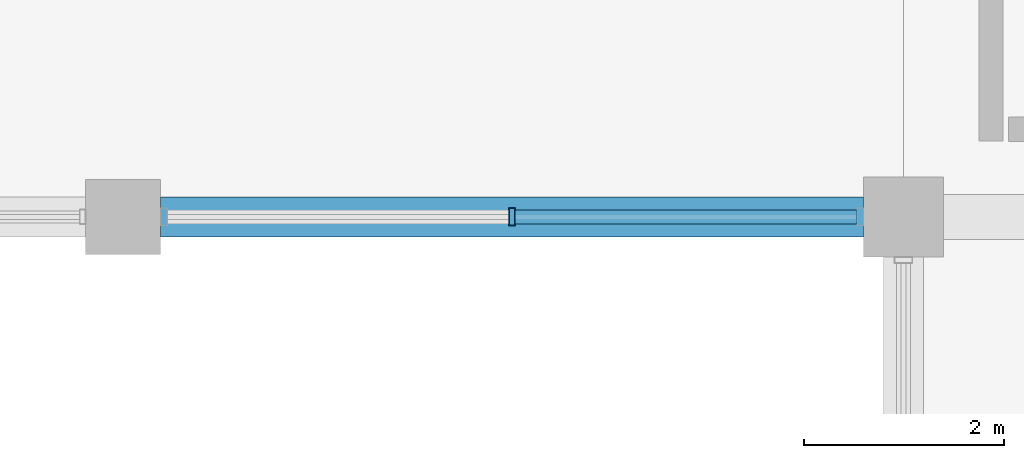
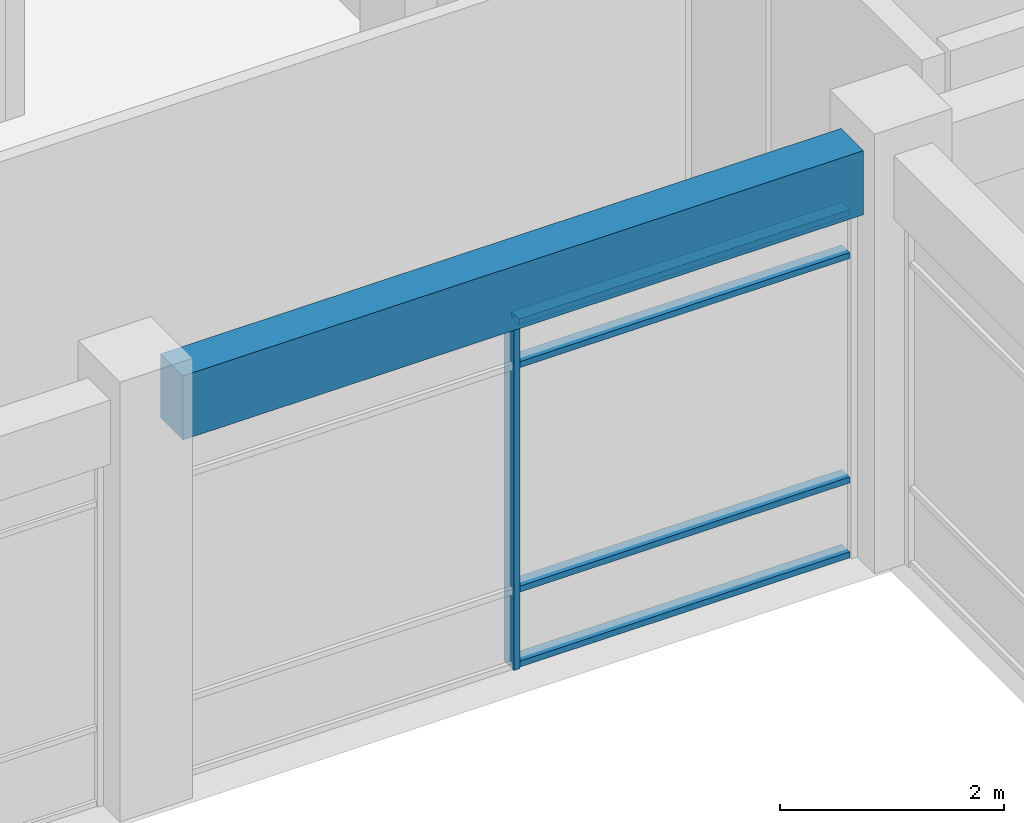
# One storey, part 23 of 62: 5 members, 1 beam, 1 element without a shape of its own.
"""IFC4 building model written with IfcOpenShell, lengths in metres."""

from ifc_helpers import new_model, si_unit, direction, frame, origin, origin_2d, place, context, subcontext, project, spatial, rectangle, hollow_rectangle, extrude, material, material_profile, profile_set, type_object, element, aggregate, save


model = new_model("IFC4")

# Units and contexts
model_context = context("Model", 3, precision=1e-05, world=origin(), true_north=direction((0.0, 1.0)))
body_context = subcontext(model_context, "Body", "Model", "MODEL_VIEW")
ifc_project = project(units=[si_unit("LENGTHUNIT", "METRE"), si_unit("AREAUNIT", "SQUARE_METRE"), si_unit("VOLUMEUNIT", "CUBIC_METRE"), si_unit("PLANEANGLEUNIT", "RADIAN"), si_unit("MASSUNIT", "GRAM", prefix="KILO"), si_unit("THERMODYNAMICTEMPERATUREUNIT", "KELVIN"), si_unit("POWERUNIT", "WATT")], contexts=[model_context])

# Site, building, storey
site_placement = place(None, origin())
site = spatial("IfcSite", under=ifc_project, at=site_placement, CompositionType="ELEMENT")
building_placement = place(site_placement, origin())
building = spatial("IfcBuilding", under=site, at=building_placement, Name="Srebrne Nadtorze General Hospital", CompositionType="ELEMENT")
storey_placement = place(building_placement, frame((0.0, 0.0, 9.60009765625)))
storey = spatial("IfcBuildingStorey", under=building, at=storey_placement, Name="L02", CompositionType="ELEMENT", Elevation=9.60009765625)

# Curtain wall, members
ifc_material_1 = material(Name="Anodised Aluminium", Category="aluminium")
curtain_wall_type = type_object("IfcCurtainWallType", Name="Unitised curtain wall 7025x3800", PredefinedType="NOTDEFINED", material=ifc_material_1)
curtain_wall_placement = place(storey_placement, origin())
curtain_wall = element("IfcCurtainWall", 1, at=curtain_wall_placement, inside=storey, type_object=curtain_wall_type, Name="Curtain wall CW-081", PredefinedType="NOTDEFINED")
ifc_material_2 = material(Name="Anodised Aluminium", Category="aluminium")
ifc_material_profile_1 = material_profile(ifc_material_2, hollow_rectangle(XDim=0.06494140625, YDim=0.179931640625, WallThickness=0.00390625, at=origin_2d()), Name="AL-MUL-65x180")
ifc_profile_set_1 = profile_set([ifc_material_profile_1], Name="Anodised Aluminium")
member_type_1 = type_object("IfcMemberType", Name="Curtain mullion 65x180", PredefinedType="MULLION", material=ifc_profile_set_1)
member_1_placement = place(storey_placement, frame((97.487548828125, 50.39990234375, 0.0), z_axis=(0.0, 0.0, 1.0), x_axis=(1.0, 0.0, 0.0)))
member_1 = element("IfcMember", 2, at=member_1_placement, type_object=member_type_1, Name="CW-081 mullion 2", PredefinedType="MULLION", context=body_context, shape_type="SweptSolid", body=[
    extrude(hollow_rectangle(XDim=0.06494140625, YDim=0.179931640625, WallThickness=0.00390625, at=origin_2d()), origin(), (0.0, 0.0, 1.0), 3.7998046875),
])
ifc_material_3 = material(Name="Anodised Aluminium", Category="aluminium")
ifc_material_profile_2 = material_profile(ifc_material_3, hollow_rectangle(XDim=0.06494140625, YDim=0.139892578125, WallThickness=0.00390625, at=origin_2d()), Name="AL-TRN-65x140")
ifc_profile_set_2 = profile_set([ifc_material_profile_2], Name="Anodised Aluminium")
member_type_2 = type_object("IfcMemberType", Name="Curtain transom 65x140", PredefinedType="USERDEFINED", material=ifc_profile_set_2)
member_2_placement = place(storey_placement, frame((97.52001953125, 50.39990234375, 0.032470703125), z_axis=(1.0, 0.0, 0.0), x_axis=(0.0, 0.0, 1.0)))
member_2 = element("IfcMember", 3, at=member_2_placement, type_object=member_type_2, Name="CW-081 transom 2.1", ObjectType="TRANSOM", PredefinedType="USERDEFINED", context=body_context, shape_type="SweptSolid", body=[
    extrude(hollow_rectangle(XDim=0.06494140625, YDim=0.139892578125, WallThickness=0.00390625, at=origin_2d()), origin(), (0.0, 0.0, 1.0), 3.4150390625),
])
member_3_placement = place(storey_placement, frame((97.52001953125, 50.39990234375, 0.849853515625), z_axis=(1.0, 0.0, 0.0), x_axis=(0.0, 0.0, 1.0)))
member_3 = element("IfcMember", 4, at=member_3_placement, type_object=member_type_2, Name="CW-081 transom 2.2", ObjectType="TRANSOM", PredefinedType="USERDEFINED", context=body_context, shape_type="SweptSolid", body=[
    extrude(hollow_rectangle(XDim=0.06494140625, YDim=0.139892578125, WallThickness=0.00390625, at=origin_2d()), origin(), (0.0, 0.0, 1.0), 3.4150390625),
])
member_4_placement = place(storey_placement, frame((97.52001953125, 50.39990234375, 3.2998046875), z_axis=(1.0, 0.0, 0.0), x_axis=(0.0, 0.0, 1.0)))
member_4 = element("IfcMember", 5, at=member_4_placement, type_object=member_type_2, Name="CW-081 transom 2.3", ObjectType="TRANSOM", PredefinedType="USERDEFINED", context=body_context, shape_type="SweptSolid", body=[
    extrude(hollow_rectangle(XDim=0.06494140625, YDim=0.139892578125, WallThickness=0.00390625, at=origin_2d()), origin(), (0.0, 0.0, 1.0), 3.4150390625),
])
member_5_placement = place(storey_placement, frame((97.52001953125, 50.39990234375, 3.767333984375), z_axis=(1.0, 0.0, 0.0), x_axis=(0.0, 0.0, 1.0)))
member_5 = element("IfcMember", 6, at=member_5_placement, type_object=member_type_2, Name="CW-081 transom 2.4", ObjectType="TRANSOM", PredefinedType="USERDEFINED", context=body_context, shape_type="SweptSolid", body=[
    extrude(hollow_rectangle(XDim=0.06494140625, YDim=0.139892578125, WallThickness=0.00390625, at=origin_2d()), origin(), (0.0, 0.0, 1.0), 3.4150390625),
])
aggregate(curtain_wall, [member_1, member_2, member_3, member_4, member_5])

# Beam
ifc_material_4 = material(Name="Concrete C40/50", Category="concrete")
ifc_material_profile_3 = material_profile(ifc_material_4, rectangle(XDim=0.39990234375, YDim=0.699951171875, at=origin_2d()), Name="RC-BM-400x700")
ifc_profile_set_3 = profile_set([ifc_material_profile_3], Name="Concrete C40/50")
beam_type = type_object("IfcBeamType", Name="Edge beam RC 400x700", PredefinedType="BEAM", material=ifc_profile_set_3)
beam_placement = place(storey_placement, frame((93.97509765625, 50.39990234375, 4.14990234375), z_axis=(1.0, 0.0, 0.0), x_axis=(0.0, 1.0, 0.0)))
element("IfcBeam", 7, at=beam_placement, inside=storey, type_object=beam_type, Name="Beam BM-L02-X-0587", PredefinedType="BEAM", context=body_context, shape_type="SweptSolid", body=[
    extrude(rectangle(XDim=0.39990234375, YDim=0.699951171875, at=origin_2d()), origin(), (0.0, 0.0, 1.0), 7.02490234375),
])

save(model, "model.ifc")
